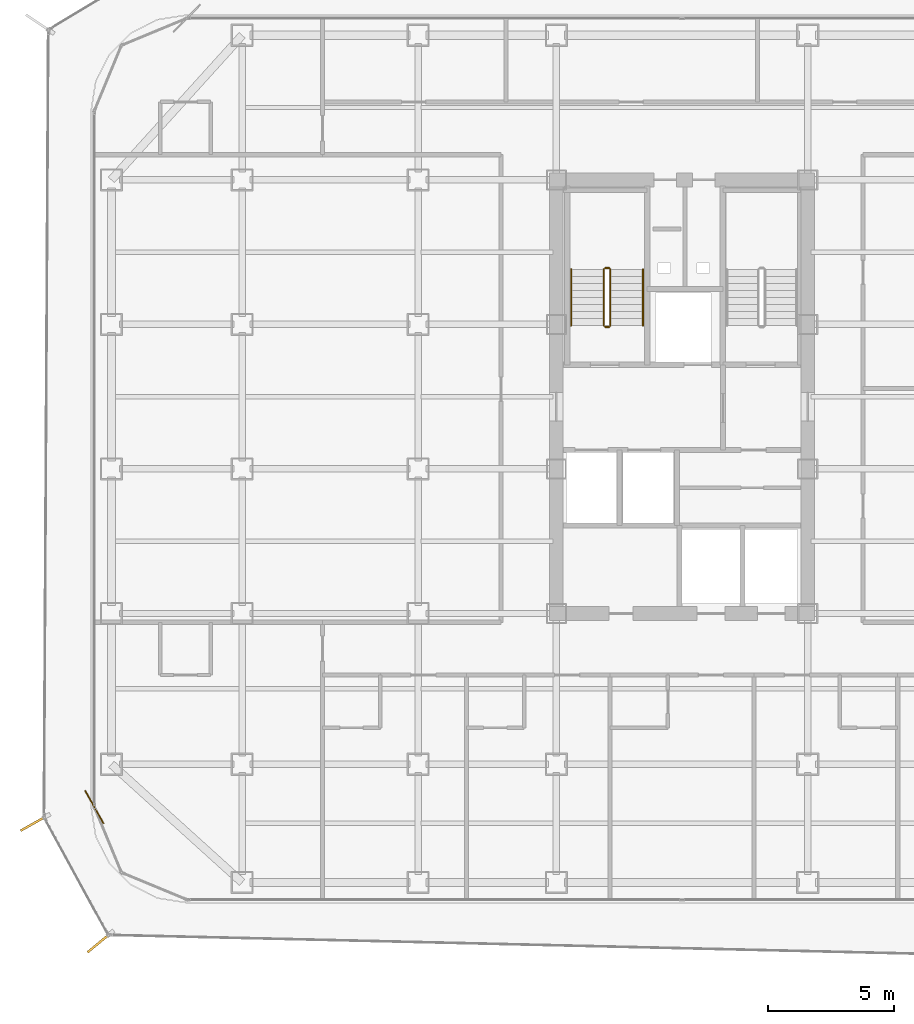
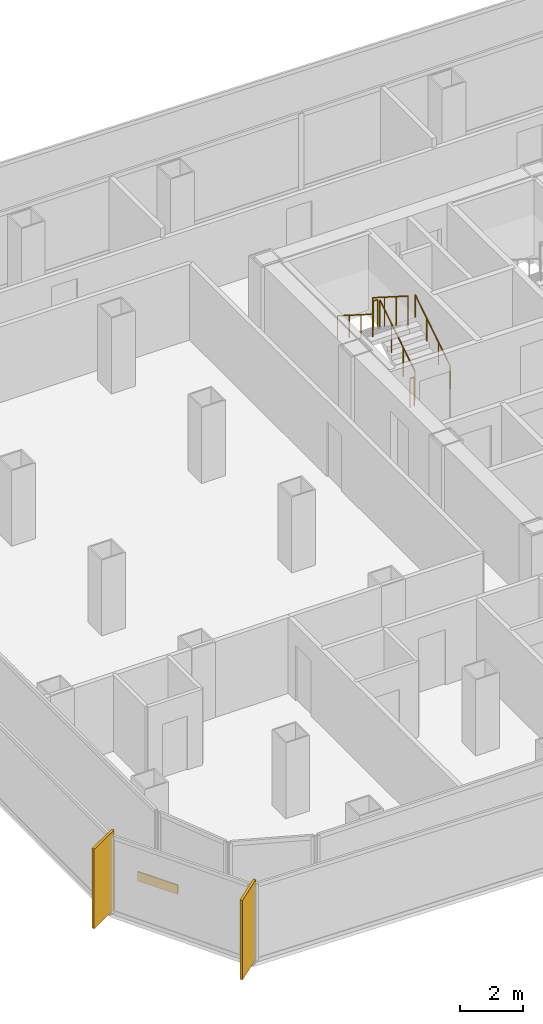
# One storey, part 19 of 21: 6 railings, 2 shading devices, 1 covering.
"""IFC4 building model written with IfcOpenShell, lengths in metres."""

from ifc_helpers import new_model, si_unit, direction, frame, origin, origin_2d, place, context, subcontext, project, spatial, rectangle, circle, extrude, source, transform, mapped, material, layer, layer_set, type_object, element, save


model = new_model("IFC4")

# Units and contexts
model_context = context("Model", 3, precision=1e-05, world=origin(), true_north=direction((0.0, 1.0)))
body_context = subcontext(model_context, "Body", "Model", "MODEL_VIEW")
ifc_project = project(units=[si_unit("LENGTHUNIT", "METRE"), si_unit("AREAUNIT", "SQUARE_METRE"), si_unit("VOLUMEUNIT", "CUBIC_METRE"), si_unit("PLANEANGLEUNIT", "RADIAN"), si_unit("MASSUNIT", "GRAM", prefix="KILO")], contexts=[model_context])

# Site, building, storey
site_placement = place(None, origin())
site = spatial("IfcSite", under=ifc_project, at=site_placement, CompositionType="ELEMENT")
building_placement = place(site_placement, origin())
building = spatial("IfcBuilding", under=site, at=building_placement, Name="Kolveth Station Tower", CompositionType="ELEMENT")
storey_placement = place(building_placement, frame((0.0, 0.0, 102.300048828125)))
storey = spatial("IfcBuildingStorey", under=building, at=storey_placement, Name="L27", CompositionType="ELEMENT", Elevation=102.300048828125)

# Railings
ifc_material_1 = material(Name="Painted Steel S355 balustrade", Category="steel")
railing_type_1 = type_object("IfcRailingType", Name="Guard_GR2", PredefinedType="BALUSTRADE", material=ifc_material_1)
railing_1_placement = place(storey_placement, frame((20.64990234375, 22.949951171875, 0.177734375)))
element("IfcRailing", 1, at=railing_1_placement, inside=storey, type_object=railing_type_1, Name="L27 ST1 stair guard 1", PredefinedType="BALUSTRADE", context=body_context, shape_type="SweptSolid", body=[
    extrude(circle(Radius=0.02392578125, at=origin_2d()), frame((0.0, 0.0, 1.1259765625), z_axis=(0.0, 0.8442293374, 0.53598211339), x_axis=(-1.0, 0.0, 0.0)), (0.0, 0.0, 1.0), 2.6533203125),
    extrude(circle(Radius=0.02099609375, at=origin_2d()), origin(), (0.0, 0.0, 1.0), 1.101806640625),
    extrude(circle(Radius=0.02099609375, at=origin_2d()), frame((0.0, 0.74658203125, 0.47412109375)), (0.0, 0.0, 1.0), 1.101806640625),
    extrude(circle(Radius=0.02099609375, at=origin_2d()), frame((0.0, 1.493408203125, 0.947998046875)), (0.0, 0.0, 1.0), 1.101806640625),
    extrude(circle(Radius=0.02099609375, at=origin_2d()), frame((0.0, 2.239990234375, 1.422119140625)), (0.0, 0.0, 1.0), 1.101806640625),
])
railing_2_placement = place(storey_placement, frame((20.60009765625, 25.239990234375, 1.599853515625)))
element("IfcRailing", 2, at=railing_2_placement, inside=storey, type_object=railing_type_1, Name="L27 ST1 stair guard 2", PredefinedType="BALUSTRADE", context=body_context, shape_type="SweptSolid", body=[
    extrude(circle(Radius=0.02392578125, at=origin_2d()), frame((0.0, 0.0, 1.1259765625), z_axis=(-1.0, 0.0, 0.0), x_axis=(0.0, -1.0, 0.0)), (0.0, 0.0, 1.0), 0.16015625),
    extrude(circle(Radius=0.02099609375, at=origin_2d()), origin(), (0.0, 0.0, 1.0), 1.101806640625),
    extrude(circle(Radius=0.02099609375, at=origin_2d()), frame((-0.16015625, 0.0, 0.0)), (0.0, 0.0, 1.0), 1.101806640625),
])
railing_3_placement = place(storey_placement, frame((20.389892578125, 25.18994140625, 1.77783203125)))
element("IfcRailing", 3, at=railing_3_placement, inside=storey, type_object=railing_type_1, Name="L27 ST1 stair guard 3", PredefinedType="BALUSTRADE", context=body_context, shape_type="SweptSolid", body=[
    extrude(circle(Radius=0.02392578125, at=origin_2d()), frame((0.0, 0.0, 1.1259765625), z_axis=(0.0, -0.8442293374, 0.53598211339), x_axis=(1.0, 0.0, 0.0)), (0.0, 0.0, 1.0), 2.6533203125),
    extrude(circle(Radius=0.02099609375, at=origin_2d()), origin(), (0.0, 0.0, 1.0), 1.101806640625),
    extrude(circle(Radius=0.02099609375, at=origin_2d()), frame((0.0, -0.74658203125, 0.47412109375)), (0.0, 0.0, 1.0), 1.101806640625),
    extrude(circle(Radius=0.02099609375, at=origin_2d()), frame((0.0, -1.493408203125, 0.947998046875)), (0.0, 0.0, 1.0), 1.101806640625),
    extrude(circle(Radius=0.02099609375, at=origin_2d()), frame((0.0, -2.239990234375, 1.422119140625)), (0.0, 0.0, 1.0), 1.101806640625),
])
railing_4_placement = place(storey_placement, frame((20.60009765625, 22.89990234375, 0.0)))
element("IfcRailing", 4, at=railing_4_placement, inside=storey, type_object=railing_type_1, Name="L27 ST1 stair guard 4", PredefinedType="BALUSTRADE", context=body_context, shape_type="SweptSolid", body=[
    extrude(circle(Radius=0.02392578125, at=origin_2d()), frame((0.0, 0.0, 1.1259765625), z_axis=(-1.0, 0.0, 0.0), x_axis=(0.0, -1.0, 0.0)), (0.0, 0.0, 1.0), 0.16015625),
    extrude(circle(Radius=0.02099609375, at=origin_2d()), origin(), (0.0, 0.0, 1.0), 1.101806640625),
    extrude(circle(Radius=0.02099609375, at=origin_2d()), frame((-0.16015625, 0.0, 0.0)), (0.0, 0.0, 1.0), 1.101806640625),
])
ifc_material_2 = material(Name="Brushed stainless steel", Category="steel")
railing_type_2 = type_object("IfcRailingType", Name="Handrail_HR1", PredefinedType="HANDRAIL", material=ifc_material_2)
railing_5_placement = place(storey_placement, frame((21.949951171875, 22.949951171875, 0.177734375)))
element("IfcRailing", 5, at=railing_5_placement, inside=storey, type_object=railing_type_2, Name="L27 ST1 stair handrail 1", PredefinedType="HANDRAIL", context=body_context, shape_type="SweptSolid", body=[
    extrude(circle(Radius=0.02392578125, at=origin_2d()), frame((0.0, 0.0, 0.8759765625), z_axis=(0.0, 0.8442293374, 0.53598211339), x_axis=(-1.0, 0.0, 0.0)), (0.0, 0.0, 1.0), 2.6533203125),
    extrude(circle(Radius=0.02099609375, at=origin_2d()), origin(), (0.0, 0.0, 1.0), 0.851806640625),
    extrude(circle(Radius=0.02099609375, at=origin_2d()), frame((0.0, 0.74658203125, 0.47412109375)), (0.0, 0.0, 1.0), 0.851806640625),
    extrude(circle(Radius=0.02099609375, at=origin_2d()), frame((0.0, 1.493408203125, 0.947998046875)), (0.0, 0.0, 1.0), 0.851806640625),
    extrude(circle(Radius=0.02099609375, at=origin_2d()), frame((0.0, 2.239990234375, 1.422119140625)), (0.0, 0.0, 1.0), 0.851806640625),
])
railing_6_placement = place(storey_placement, frame((19.090087890625, 25.18994140625, 1.77783203125)))
element("IfcRailing", 6, at=railing_6_placement, inside=storey, type_object=railing_type_2, Name="L27 ST1 stair handrail 2", PredefinedType="HANDRAIL", context=body_context, shape_type="SweptSolid", body=[
    extrude(circle(Radius=0.02392578125, at=origin_2d()), frame((0.0, 0.0, 0.8759765625), z_axis=(0.0, -0.8442293374, 0.53598211339), x_axis=(1.0, 0.0, 0.0)), (0.0, 0.0, 1.0), 2.6533203125),
    extrude(circle(Radius=0.02099609375, at=origin_2d()), origin(), (0.0, 0.0, 1.0), 0.851806640625),
    extrude(circle(Radius=0.02099609375, at=origin_2d()), frame((0.0, -0.74658203125, 0.47412109375)), (0.0, 0.0, 1.0), 0.851806640625),
    extrude(circle(Radius=0.02099609375, at=origin_2d()), frame((0.0, -1.493408203125, 0.947998046875)), (0.0, 0.0, 1.0), 0.851806640625),
    extrude(circle(Radius=0.02099609375, at=origin_2d()), frame((0.0, -2.239990234375, 1.422119140625)), (0.0, 0.0, 1.0), 0.851806640625),
])

# Shading devices
ifc_material_3 = material(Name="Black anodized aluminium 6063-T6", Category="aluminium")
shading_device_type = type_object("IfcShadingDeviceType", Name="FIN_VF1", PredefinedType="USERDEFINED", material=ifc_material_3)
shared_shape_1 = source(origin(), body_context, "Body", "SweptSolid", [
    extrude(rectangle(XDim=1.25, YDim=0.090087890625, at=origin_2d()), origin(), (0.0, 0.0, 1.0), 3.10009765625),
])
for number, where, z_axis, x_axis, name in (
    (7, (-2.26904296875, 3.1630859375, 0.0), (0.0, 0.0, 1.0), (-0.871727406539, -0.489991151644, 0.0), "L27 Dark-Aluminium Solar Fin 7"),
    (8, (0.3330078125, -1.5810546875, 0.0), (0.0, 0.0, 1.0), (-0.769399555047, -0.638767817516, 0.0), "L27 Dark-Aluminium Solar Fin 8"),
):
    element("IfcShadingDevice", number, at=place(storey_placement, frame(where, z_axis=z_axis, x_axis=x_axis)), inside=storey, type_object=shading_device_type, Name=name, ObjectType="FIN", PredefinedType="USERDEFINED", context=body_context, shape_type="MappedRepresentation", body=[
        mapped(shared_shape_1, transform((0.0, 0.0, 0.0), x_axis=(1.0, 0.0, 0.0), y_axis=(0.0, 1.0, 0.0), z_axis=(0.0, 0.0, 1.0), scale=1.0)),
    ])

# Covering
ifc_material_4 = material(Name="Charcoal anodized aluminium spandrel cladding", Category="aluminium")
ifc_layer = layer(ifc_material_4, 0.044921875)
ifc_layer_set = layer_set([ifc_layer], Name="Charcoal anodized aluminium spandrel cladding")
covering_type = type_object("IfcCoveringType", Name="Clad_CD1", PredefinedType="CLADDING", material=ifc_layer_set)
shared_shape_2 = source(origin(), body_context, "Body", "SweptSolid", [
    extrude(rectangle(XDim=1.5, YDim=0.044921875, at=origin_2d()), origin(), (0.0, 0.0, 1.0), 0.360107421875),
])
covering_placement = place(storey_placement, frame((0.1201171875, 3.800048828125, 0.0), z_axis=(0.0, 0.0, 1.0), x_axis=(0.489991151644, -0.871727406539, 0.0)))
element("IfcCovering", 9, at=covering_placement, inside=storey, type_object=covering_type, Name="L27 Spandrel Edge Cladding 7", PredefinedType="CLADDING", context=body_context, shape_type="MappedRepresentation", body=[
    mapped(shared_shape_2, transform((0.0, 0.0, 0.0), x_axis=(1.0, 0.0, 0.0), y_axis=(0.0, 1.0, 0.0), z_axis=(0.0, 0.0, 1.0), scale=1.0)),
])

save(model, "model.ifc")
